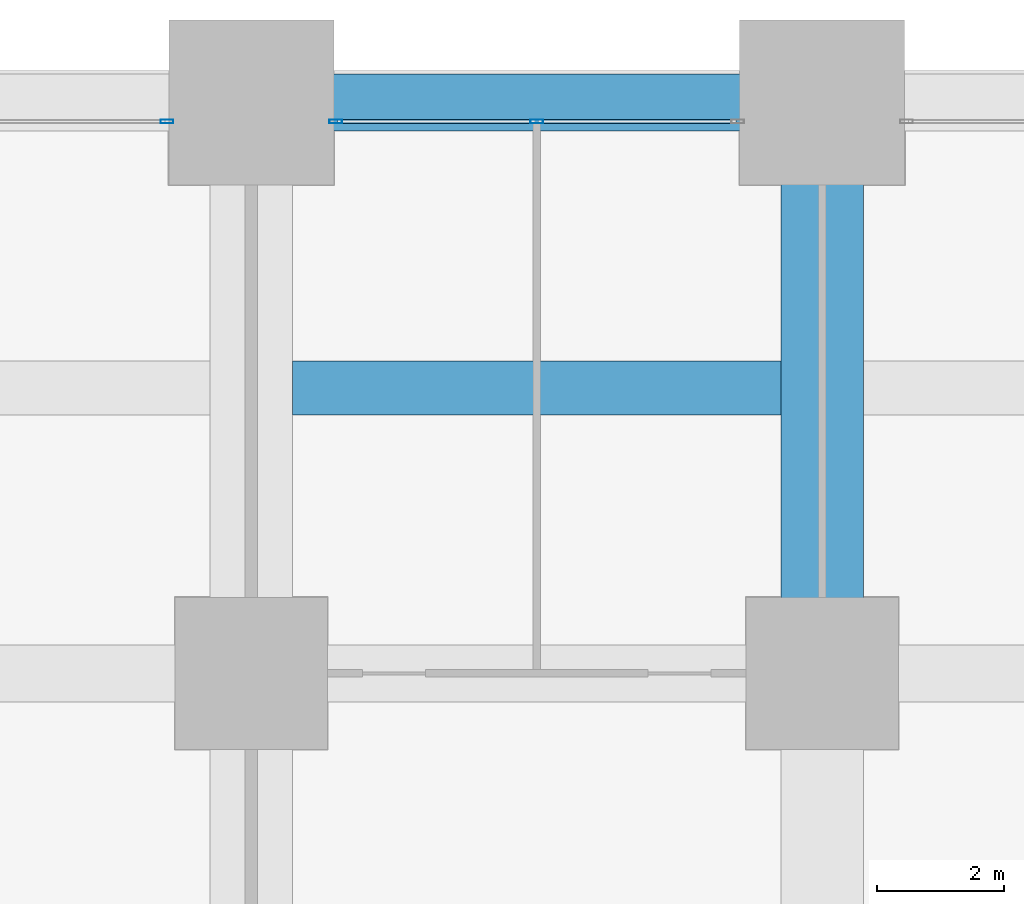
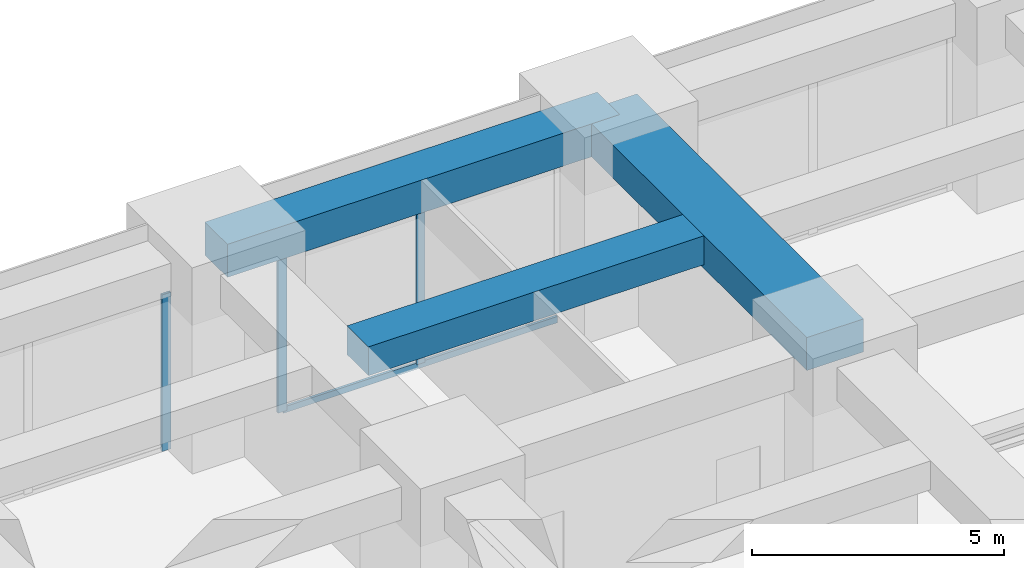
# One storey, part 24 of 46: 4 members, 3 beams, 2 elements without a shape of their own.
"""IFC4 building model written with IfcOpenShell, lengths in metres."""

from ifc_helpers import new_model, si_unit, direction, frame, origin, origin_2d, place, context, subcontext, project, spatial, rectangle, hollow_rectangle, extrude, material, material_profile, profile_set, type_object, element, aggregate, save


model = new_model("IFC4")

# Units and contexts
model_context = context("Model", 3, precision=1e-05, world=origin(), true_north=direction((0.0, 1.0)))
body_context = subcontext(model_context, "Body", "Model", "MODEL_VIEW")
ifc_project = project(units=[si_unit("LENGTHUNIT", "METRE"), si_unit("AREAUNIT", "SQUARE_METRE"), si_unit("VOLUMEUNIT", "CUBIC_METRE"), si_unit("PLANEANGLEUNIT", "RADIAN"), si_unit("MASSUNIT", "GRAM", prefix="KILO")], contexts=[model_context])

# Site, building, storey
site_placement = place(None, origin())
site = spatial("IfcSite", under=ifc_project, at=site_placement, CompositionType="ELEMENT")
building_placement = place(site_placement, origin())
building = spatial("IfcBuilding", under=site, at=building_placement, Name="Zorevar Civic Tower", CompositionType="ELEMENT")
storey_placement = place(building_placement, frame((0.0, 0.0, 10.800048828125)))
storey = spatial("IfcBuildingStorey", under=building, at=storey_placement, Name="L02", CompositionType="ELEMENT", Elevation=10.800048828125)

# Beams
ifc_material_1 = material(Name="Concrete C50/60", Category="concrete")
ifc_material_profile_1 = material_profile(ifc_material_1, rectangle(XDim=1.300048828125, YDim=0.800048828125, at=origin_2d()), Name="RC 1300x800")
ifc_profile_set_1 = profile_set([ifc_material_profile_1], Name="Concrete C50/60")
beam_type_1 = type_object("IfcBeamType", Name="Beam RC 1300x800", PredefinedType="BEAM", material=ifc_profile_set_1)
beam_1_placement = place(storey_placement, frame((18.0, 45.0, 4.199951171875), z_axis=(0.0, 1.0, 0.0), x_axis=(-1.0, 0.0, 0.0)))
element("IfcBeam", 1, at=beam_1_placement, inside=storey, type_object=beam_type_1, Name="Girder L03", PredefinedType="BEAM", context=body_context, shape_type="SweptSolid", body=[
    extrude(rectangle(XDim=1.300048828125, YDim=0.800048828125, at=origin_2d()), origin(), (0.0, 0.0, 1.0), 9.0),
])
ifc_material_2 = material(Name="Concrete C50/60", Category="concrete")
ifc_material_profile_2 = material_profile(ifc_material_2, rectangle(XDim=0.85009765625, YDim=0.699951171875, at=origin_2d()), Name="RC 850x700")
ifc_profile_set_2 = profile_set([ifc_material_profile_2], Name="Concrete C50/60")
beam_type_2 = type_object("IfcBeamType", Name="Beam RC 850x700", PredefinedType="BEAM", material=ifc_profile_set_2)
beam_2_placement = place(storey_placement, frame((9.64990234375, 49.5, 4.25), z_axis=(1.0, 0.0, 0.0), x_axis=(0.0, 1.0, 0.0)))
element("IfcBeam", 2, at=beam_2_placement, inside=storey, type_object=beam_type_2, Name="Secondary beam L03", PredefinedType="BEAM", context=body_context, shape_type="SweptSolid", body=[
    extrude(rectangle(XDim=0.85009765625, YDim=0.699951171875, at=origin_2d()), origin(), (0.0, 0.0, 1.0), 7.7001953125),
])

# Curtain wall, member
ifc_material_3 = material(Name="Dark grey solar-control glass in black aluminium frame", Category="aluminium")
curtain_wall_type = type_object("IfcCurtainWallType", Name="Curtain wall CW1 podium", PredefinedType="NOTDEFINED", material=ifc_material_3)
curtain_wall_1_placement = place(storey_placement, origin())
curtain_wall_1 = element("IfcCurtainWall", 3, at=curtain_wall_1_placement, inside=storey, type_object=curtain_wall_type, Name="CW1 L02", PredefinedType="NOTDEFINED")
ifc_material_4 = material(Name="Aluminium, black anodised", Category="aluminium")
ifc_material_profile_3 = material_profile(ifc_material_4, hollow_rectangle(XDim=0.06005859375, YDim=0.199951171875, WallThickness=0.00390625, at=origin_2d()), Name="AL 200x60x4")
ifc_profile_set_3 = profile_set([ifc_material_profile_3], Name="Aluminium, black anodised")
member_type_1 = type_object("IfcMemberType", Name="CW1 mullion AL 200x60x4", PredefinedType="MULLION", material=ifc_profile_set_3)
member_1_placement = place(storey_placement, frame((7.669921875, 53.699951171875, 0.0), z_axis=(0.0, 0.0, 1.0), x_axis=(0.0, 1.0, 0.0)))
member_1 = element("IfcMember", 4, at=member_1_placement, type_object=member_type_1, Name="CW1 mullion 3", PredefinedType="MULLION", context=body_context, shape_type="SweptSolid", body=[
    extrude(hollow_rectangle(XDim=0.06005859375, YDim=0.199951171875, WallThickness=0.00390625, at=origin_2d()), origin(), (0.0, 0.0, 1.0), 3.800048828125),
])
aggregate(curtain_wall_1, [member_1])

# Curtain wall, members
curtain_wall_2_placement = place(storey_placement, origin())
curtain_wall_2 = element("IfcCurtainWall", 5, at=curtain_wall_2_placement, inside=storey, type_object=curtain_wall_type, Name="CW1 L02", PredefinedType="NOTDEFINED")
member_2_placement = place(storey_placement, frame((10.330078125, 53.699951171875, 0.0), z_axis=(0.0, 0.0, 1.0), x_axis=(0.0, 1.0, 0.0)))
member_2 = element("IfcMember", 6, at=member_2_placement, type_object=member_type_1, Name="CW1 mullion 1", PredefinedType="MULLION", context=body_context, shape_type="SweptSolid", body=[
    extrude(hollow_rectangle(XDim=0.06005859375, YDim=0.199951171875, WallThickness=0.00390625, at=origin_2d()), origin(), (0.0, 0.0, 1.0), 3.800048828125),
])
member_3_placement = place(storey_placement, frame((13.5, 53.699951171875, 0.06005859375), z_axis=(0.0, 0.0, 1.0), x_axis=(0.0, 1.0, 0.0)))
member_3 = element("IfcMember", 7, at=member_3_placement, type_object=member_type_1, Name="CW1 mullion 2", PredefinedType="MULLION", context=body_context, shape_type="SweptSolid", body=[
    extrude(hollow_rectangle(XDim=0.06005859375, YDim=0.199951171875, WallThickness=0.00390625, at=origin_2d()), origin(), (0.0, 0.0, 1.0), 3.739990234375),
])
ifc_material_5 = material(Name="Aluminium, black anodised", Category="aluminium")
ifc_material_profile_4 = material_profile(ifc_material_5, hollow_rectangle(XDim=0.06005859375, YDim=0.14990234375, WallThickness=0.00390625, at=origin_2d()), Name="AL 150x60x4")
ifc_profile_set_4 = profile_set([ifc_material_profile_4], Name="Aluminium, black anodised")
member_type_2 = type_object("IfcMemberType", Name="CW1 transom AL 150x60x4", PredefinedType="USERDEFINED", material=ifc_profile_set_4)
member_4_placement = place(storey_placement, frame((10.360107421875, 53.699951171875, 0.030029296875), z_axis=(1.0, 0.0, 0.0), x_axis=(0.0, 1.0, 0.0)))
member_4 = element("IfcMember", 8, at=member_4_placement, type_object=member_type_2, Name="CW1 sill transom", ObjectType="TRANSOM", PredefinedType="USERDEFINED", context=body_context, shape_type="SweptSolid", body=[
    extrude(hollow_rectangle(XDim=0.06005859375, YDim=0.14990234375, WallThickness=0.00390625, at=origin_2d()), origin(), (0.0, 0.0, 1.0), 6.27978515625),
])
aggregate(curtain_wall_2, [member_2, member_3, member_4])

# Beam
ifc_material_6 = material(Name="Concrete C50/60", Category="concrete")
ifc_material_profile_5 = material_profile(ifc_material_6, rectangle(XDim=0.89990234375, YDim=0.800048828125, at=origin_2d()), Name="RC 900x800")
ifc_profile_set_5 = profile_set([ifc_material_profile_5], Name="Concrete C50/60")
beam_type_3 = type_object("IfcBeamType", Name="Edge beam RC 900x800", PredefinedType="SPANDREL", material=ifc_profile_set_5)
beam_3_placement = place(storey_placement, frame((9.0, 54.0, 4.199951171875), z_axis=(1.0, 0.0, 0.0), x_axis=(0.0, 1.0, 0.0)))
element("IfcBeam", 9, at=beam_3_placement, inside=storey, type_object=beam_type_3, Name="Edge beam L03", PredefinedType="SPANDREL", context=body_context, shape_type="SweptSolid", body=[
    extrude(rectangle(XDim=0.89990234375, YDim=0.800048828125, at=origin_2d()), origin(), (0.0, 0.0, 1.0), 9.0),
])

save(model, "model.ifc")
